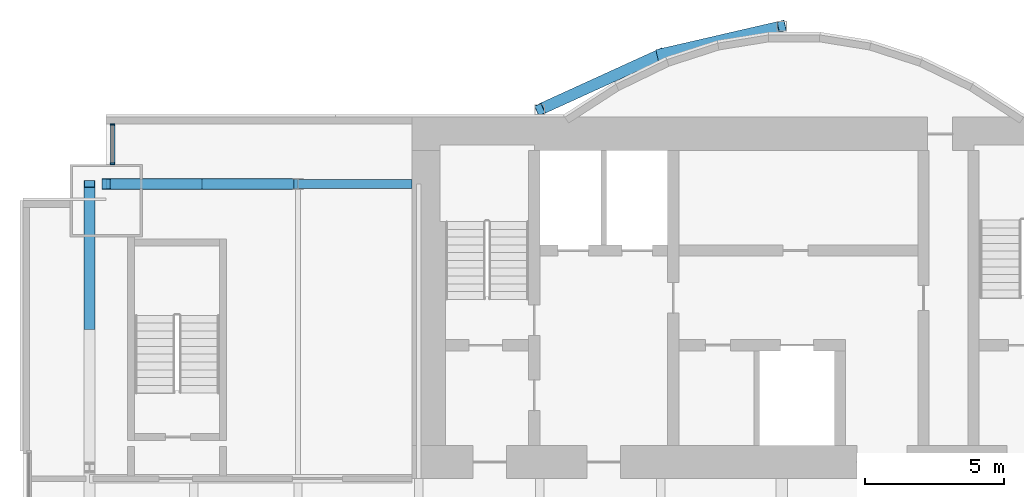
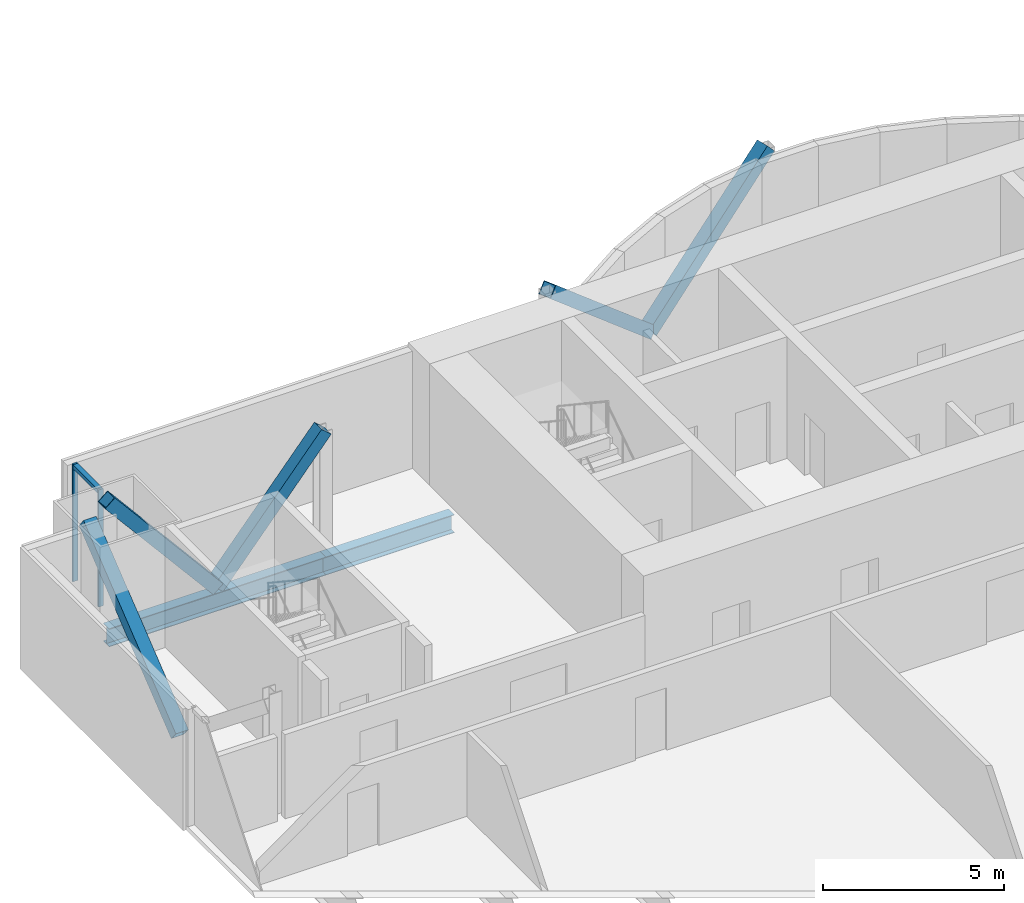
# One storey, part 10 of 21: 8 members, 2 beams, 1 element without a shape of its own.
"""IFC4 building model written with IfcOpenShell, lengths in metres."""

from ifc_helpers import new_model, si_unit, direction, frame, origin, origin_2d, place, context, subcontext, project, spatial, rectangle, hollow_rectangle, i_section, extrude, material, material_profile, profile_set, type_object, element, aggregate, save


model = new_model("IFC4")

# Units and contexts
model_context = context("Model", 3, precision=1e-05, world=origin(), true_north=direction((0.0, 1.0)))
body_context = subcontext(model_context, "Body", "Model", "MODEL_VIEW")
ifc_project = project(units=[si_unit("LENGTHUNIT", "METRE"), si_unit("AREAUNIT", "SQUARE_METRE"), si_unit("VOLUMEUNIT", "CUBIC_METRE"), si_unit("PLANEANGLEUNIT", "RADIAN"), si_unit("MASSUNIT", "GRAM", prefix="KILO")], contexts=[model_context])

# Site, building, storey
site_placement = place(None, origin())
site = spatial("IfcSite", under=ifc_project, at=site_placement, CompositionType="ELEMENT")
building_placement = place(site_placement, origin())
building = spatial("IfcBuilding", under=site, at=building_placement, Name="Bicima Exchange Tower", CompositionType="ELEMENT")
storey_placement = place(building_placement, frame((0.0, 0.0, 165.0)))
storey = spatial("IfcBuildingStorey", under=building, at=storey_placement, Name="L36", CompositionType="ELEMENT", Elevation=165.0)

# Curtain wall, members
ifc_material_1 = material(Name="Anodised bronze aluminium", Category="aluminium")
curtain_wall_type = type_object("IfcCurtainWallType", Name="Front glass wall", PredefinedType="NOTDEFINED", material=ifc_material_1)
curtain_wall_placement = place(storey_placement, origin())
curtain_wall = element("IfcCurtainWall", 1, at=curtain_wall_placement, inside=storey, type_object=curtain_wall_type, Name="Front glass wall L36 run 1", PredefinedType="NOTDEFINED")
ifc_material_profile_1 = material_profile(ifc_material_1, rectangle(XDim=0.159912109375, YDim=0.06005859375, at=origin_2d()))
ifc_profile_set_1 = profile_set([ifc_material_profile_1], Name="Anodised bronze aluminium")
member_type_1 = type_object("IfcMemberType", Name="Front glass wall mullion 60 x 160", PredefinedType="MULLION", material=ifc_profile_set_1)
member_1_placement = place(storey_placement, frame((-32.77001953125, -0.260009765625, 0.0), z_axis=(0.0, 0.0, 1.0), x_axis=(1.0, 0.0, 0.0)))
member_1 = element("IfcMember", 2, at=member_1_placement, type_object=member_type_1, Name="Front glass wall mullion 1", PredefinedType="MULLION", context=body_context, shape_type="SweptSolid", body=[
    extrude(rectangle(XDim=0.159912109375, YDim=0.06005859375, at=origin_2d()), origin(), (0.0, 0.0, 1.0), 3.949951171875),
])
member_2_placement = place(storey_placement, frame((-32.77001953125, -1.669921875, 0.0), z_axis=(0.0, 0.0, 1.0), x_axis=(1.0, 0.0, 0.0)))
member_2 = element("IfcMember", 3, at=member_2_placement, type_object=member_type_1, Name="Front glass wall mullion 2", PredefinedType="MULLION", context=body_context, shape_type="SweptSolid", body=[
    extrude(rectangle(XDim=0.159912109375, YDim=0.06005859375, at=origin_2d()), origin(), (0.0, 0.0, 1.0), 3.949951171875),
])
ifc_material_profile_2 = material_profile(ifc_material_1, rectangle(XDim=0.159912109375, YDim=0.139892578125, at=origin_2d()))
ifc_profile_set_2 = profile_set([ifc_material_profile_2], Name="Anodised bronze aluminium")
member_type_2 = type_object("IfcMemberType", Name="Front glass wall transom 140 x 160", PredefinedType="USERDEFINED", material=ifc_profile_set_2)
member_3_placement = place(storey_placement, frame((-32.77001953125, -0.2900390625, 3.8798828125), z_axis=(0.0, -1.0, 0.0), x_axis=(1.0, 0.0, 0.0)))
member_3 = element("IfcMember", 4, at=member_3_placement, type_object=member_type_2, Name="Front glass wall transom 1.1", ObjectType="TRANSOM", PredefinedType="USERDEFINED", context=body_context, shape_type="SweptSolid", body=[
    extrude(rectangle(XDim=0.159912109375, YDim=0.139892578125, at=origin_2d()), origin(), (0.0, 0.0, 1.0), 1.349853515625),
])
aggregate(curtain_wall, [member_1, member_2, member_3])

# Members
ifc_material_2 = material(Name="Steel ASTM A572 Gr 50", Category="steel")
ifc_material_profile_3 = material_profile(ifc_material_2, hollow_rectangle(XDim=0.406494140625, YDim=0.406494140625, WallThickness=0.017822265625, at=origin_2d()))
ifc_profile_set_3 = profile_set([ifc_material_profile_3], Name="Steel ASTM A572 Gr 50")
member_type_3 = type_object("IfcMemberType", Name="Mega brace HSS16x16x3/4", PredefinedType="BRACE", material=ifc_profile_set_3)
member_4_placement = place(storey_placement, frame((-13.050048828125, 2.262451171875, 0.0), z_axis=(0.717605620354, 0.166050509188, 0.676364843878), x_axis=(-0.225438503722, 0.974257399787, 0.0)))
element("IfcMember", 5, at=member_4_placement, inside=storey, type_object=member_type_3, Name="Mega brace rexo", PredefinedType="BRACE", context=body_context, shape_type="SweptSolid", body=[
    extrude(hollow_rectangle(XDim=0.406494140625, YDim=0.406494140625, WallThickness=0.017822265625, at=origin_2d()), origin(), (0.0, 0.0, 1.0), 6.06201171875),
])
member_5_placement = place(storey_placement, frame((-13.050048828125, 2.262451171875, 0.0), z_axis=(-0.690628963585, -0.315060460011, 0.650975069565), x_axis=(0.415045223819, -0.909800781592, 0.0)))
element("IfcMember", 6, at=member_5_placement, inside=storey, type_object=member_type_3, Name="Mega brace rexo", PredefinedType="BRACE", context=body_context, shape_type="SweptSolid", body=[
    extrude(hollow_rectangle(XDim=0.406494140625, YDim=0.406494140625, WallThickness=0.017822265625, at=origin_2d()), origin(), (0.0, 0.0, 1.0), 6.29833984375),
])
for number, where, z_axis, x_axis, name in (
    (7, (-29.550048828125, -2.39990234375, 0.0), (0.643834042494, 0.0, 0.765165162384), (0.0, 1.0, 0.0), "Mega brace rear"),
    (8, (-29.550048828125, -2.39990234375, 0.0), (-0.643834042494, 0.0, 0.765165162384), (0.0, -1.0, 0.0), "Mega brace rear"),
):
    element("IfcMember", number, at=place(storey_placement, frame(where, z_axis=z_axis, x_axis=x_axis)), inside=storey, type_object=member_type_3, Name=name, PredefinedType="BRACE", context=body_context, shape_type="SweptSolid", body=[
        extrude(hollow_rectangle(XDim=0.406494140625, YDim=0.406494140625, WallThickness=0.017822265625, at=origin_2d()), origin(), (0.0, 0.0, 1.0), 5.3583984375),
    ])
member_6_placement = place(storey_placement, frame((-33.60009765625, -7.5, -0.49658203125), z_axis=(0.0, 0.779392460608, 0.626536026376), x_axis=(-1.0, 0.0, 0.0)))
element("IfcMember", 9, at=member_6_placement, inside=storey, type_object=member_type_3, Name="Mega brace west end", PredefinedType="BRACE", context=body_context, shape_type="SweptSolid", body=[
    extrude(hollow_rectangle(XDim=0.406494140625, YDim=0.406494140625, WallThickness=0.017822265625, at=origin_2d()), origin(), (0.0, 0.0, 1.0), 6.543701171875),
])

# Beams
ifc_material_3 = material(Name="Steel ASTM A992 Gr 50", Category="steel")
ifc_material_profile_4 = material_profile(ifc_material_3, i_section(OverallWidth=0.3251953125, OverallDepth=0.612060546875, WebThickness=0.0126953125, FlangeThickness=0.01904296875, at=origin_2d()))
ifc_profile_set_4 = profile_set([ifc_material_profile_4], Name="Steel ASTM A992 Gr 50")
beam_type = type_object("IfcBeamType", Name="Rear girder W24x104", PredefinedType="BEAM", material=ifc_profile_set_4)
beam_1_placement = place(storey_placement, frame((-22.0, -2.39990234375, -0.4560546875), z_axis=(-1.0, 0.0, 0.0), x_axis=(0.0, -1.0, 0.0)))
element("IfcBeam", 10, at=beam_1_placement, inside=storey, type_object=beam_type, Name="Rear girder", PredefinedType="BEAM", context=body_context, shape_type="SweptSolid", body=[
    extrude(i_section(OverallWidth=0.3251953125, OverallDepth=0.612060546875, WebThickness=0.0126953125, FlangeThickness=0.01904296875, at=origin_2d()), origin(), (0.0, 0.0, 1.0), 4.10009765625),
])
beam_2_placement = place(storey_placement, frame((-26.10009765625, -2.39990234375, -0.4560546875), z_axis=(-1.0, 0.0, 0.0), x_axis=(0.0, -1.0, 0.0)))
element("IfcBeam", 11, at=beam_2_placement, inside=storey, type_object=beam_type, Name="Rear girder", PredefinedType="BEAM", context=body_context, shape_type="SweptSolid", body=[
    extrude(i_section(OverallWidth=0.3251953125, OverallDepth=0.612060546875, WebThickness=0.0126953125, FlangeThickness=0.01904296875, at=origin_2d()), origin(), (0.0, 0.0, 1.0), 6.89990234375),
])

save(model, "model.ifc")
